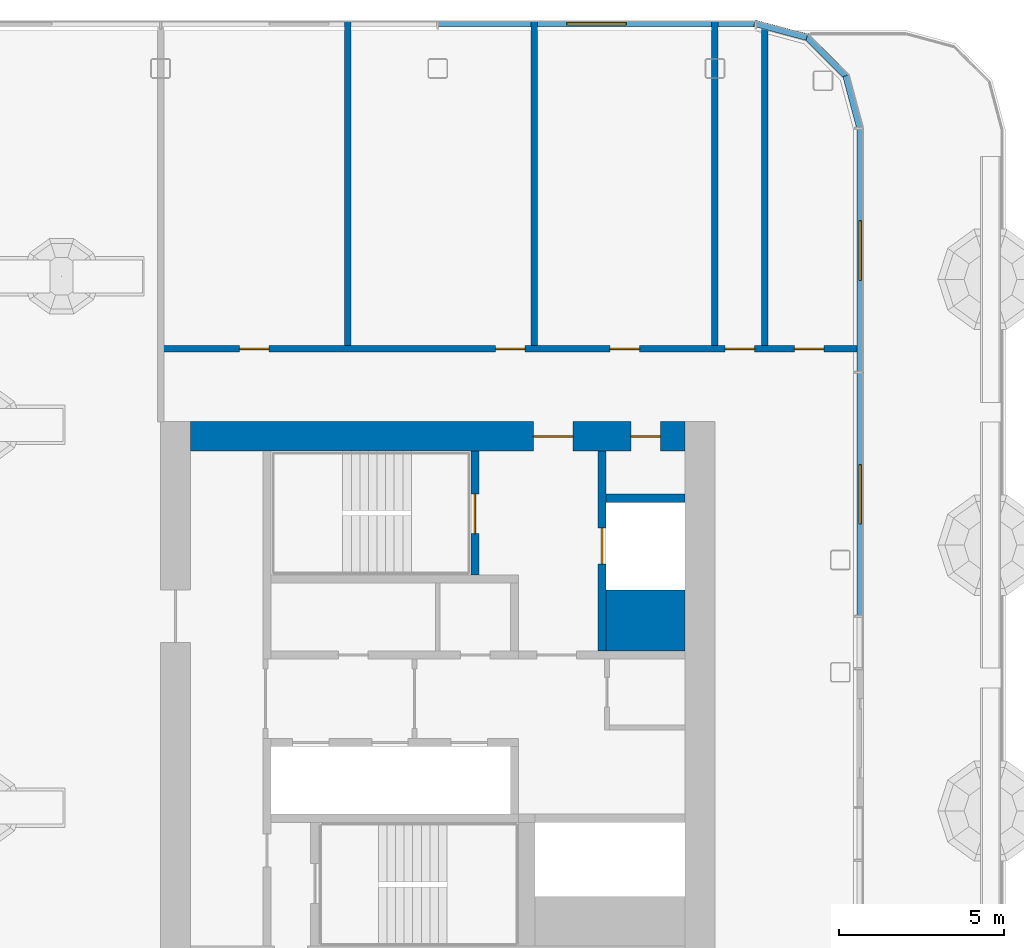
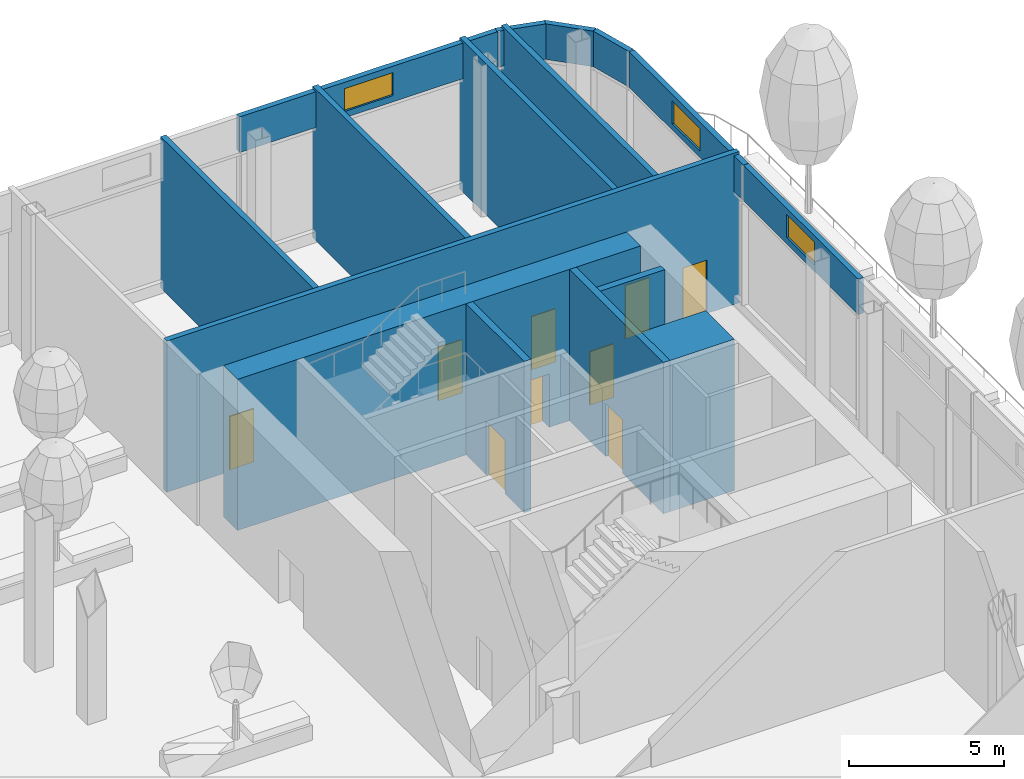
# One storey, part 14 of 41: 16 walls, 9 doors, 3 windows, 12 openings, 3 elements without a shape of their own.
"""IFC4 building model written with IfcOpenShell, lengths in metres."""

from ifc_helpers import new_model, si_unit, direction, frame, frame_2d, origin, place, context, subcontext, project, spatial, rectangle, extrude, material, layer, layer_set, type_object, element, fill, aggregate, save


model = new_model("IFC4")

# Units and contexts
model_context = context("Model", 3, precision=1e-05, world=origin(), true_north=direction((0.0, 1.0)))
body_context = subcontext(model_context, "Body", "Model", "MODEL_VIEW")
ifc_project = project(units=[si_unit("LENGTHUNIT", "METRE"), si_unit("AREAUNIT", "SQUARE_METRE"), si_unit("VOLUMEUNIT", "CUBIC_METRE"), si_unit("PLANEANGLEUNIT", "RADIAN"), si_unit("MASSUNIT", "GRAM", prefix="KILO")], contexts=[model_context])

# Site, building, storey
site_placement = place(None, origin())
site = spatial("IfcSite", under=ifc_project, at=site_placement, CompositionType="ELEMENT")
building_placement = place(site_placement, origin())
building = spatial("IfcBuilding", under=site, at=building_placement, Name="Hakoniwa Tower and Hamabe Station Hall", CompositionType="ELEMENT")
storey_placement = place(building_placement, frame((0.0, 0.0, 180.199951171875)))
storey = spatial("IfcBuildingStorey", under=building, at=storey_placement, Name="L51", CompositionType="ELEMENT", Elevation=180.199951171875)

# Wall, openings, doors
ifc_material_1 = material(Name="Concrete C60", Category="concrete")
ifc_layer_1 = layer(ifc_material_1, 0.89990234375)
ifc_layer_set_1 = layer_set([ifc_layer_1], Name="CORE WALL 900 C60")
wall_type_1 = type_object("IfcWallType", Name="CORE WALL 900 C60", PredefinedType="SHEAR", material=ifc_layer_set_1)
wall_1_placement = place(storey_placement, frame((17.699951171875, 7.949951171875, 0.0), z_axis=(0.0, 0.0, 1.0), x_axis=(1.0, 0.0, 0.0)))
wall_1 = element("IfcWall", 1, at=wall_1_placement, inside=storey, type_object=wall_type_1, Name="Core wall NORTH east", PredefinedType="SHEAR", context=body_context, shape_type="SweptSolid", body=[
    extrude(rectangle(XDim=15.0, YDim=0.89990234375, at=frame_2d((7.5, 0.0))), origin(), (0.0, 0.0, 1.0), 5.949951171875),
])
opening_1_placement = place(wall_1_placement, frame((10.39990234375, 0.0, 0.0)))
opening_1 = element("IfcOpeningElement", 2, at=opening_1_placement, cuts=wall_1, Name="Opening CD-E-FN1-12", PredefinedType="OPENING", context=body_context, shape_type="SweptSolid", body=[
    extrude(rectangle(XDim=1.199951171875, YDim=2.10009765625, at=frame_2d((0.60009765625, 1.050048828125))), frame((0.0, 0.4599609375, 0.0), z_axis=(0.0, -1.0, 0.0), x_axis=(1.0, 0.0, 0.0)), (0.0, 0.0, 1.0), 0.919921875),
])
opening_2_placement = place(wall_1_placement, frame((13.35009765625, 0.0, 0.0)))
opening_2 = element("IfcOpeningElement", 3, at=opening_2_placement, cuts=wall_1, Name="Opening CD-E-FN2-9", PredefinedType="OPENING", context=body_context, shape_type="SweptSolid", body=[
    extrude(rectangle(XDim=0.89990234375, YDim=2.10009765625, at=frame_2d((0.449951171875, 1.050048828125))), frame((0.0, 0.4599609375, 0.0), z_axis=(0.0, -1.0, 0.0), x_axis=(1.0, 0.0, 0.0)), (0.0, 0.0, 1.0), 0.919921875),
])
ifc_material_2 = material(Name="Steel fire door", Category="steel")
door_type_1 = type_object("IfcDoorType", Name="CORE DOOR 1200 FD60", OperationType="DOUBLE_DOOR_SINGLE_SWING", PredefinedType="DOOR", material=ifc_material_2)
door_1_placement = place(opening_1_placement, origin())
door_1 = element("IfcDoor", 4, at=door_1_placement, inside=storey, type_object=door_type_1, Name="Stair vestibule door to the fire-fighting lobby", OperationType="DOUBLE_DOOR_SINGLE_SWING", OverallHeight=2.10009765625, OverallWidth=1.199951171875, PredefinedType="DOOR", context=body_context, shape_type="SweptSolid", body=[
    extrude(rectangle(XDim=1.199951171875, YDim=2.10009765625, at=frame_2d((0.60009765625, 1.050048828125))), frame((0.0, 0.02490234375, 0.0), z_axis=(0.0, -1.0, 0.0), x_axis=(1.0, 0.0, 0.0)), (0.0, 0.0, 1.0), 0.050048828125),
])
fill(opening_1, door_1)
ifc_material_3 = material(Name="Steel fire door", Category="steel")
door_type_2 = type_object("IfcDoorType", Name="CORE DOOR 900 FD30", OperationType="NOTDEFINED", PredefinedType="DOOR", material=ifc_material_3)
door_2_placement = place(opening_2_placement, origin())
door_2 = element("IfcDoor", 5, at=door_2_placement, inside=storey, type_object=door_type_2, Name="Riser access door", OperationType="SINGLE_SWING_RIGHT", OverallHeight=2.10009765625, OverallWidth=0.89990234375, PredefinedType="DOOR", context=body_context, shape_type="SweptSolid", body=[
    extrude(rectangle(XDim=0.89990234375, YDim=2.10009765625, at=frame_2d((0.449951171875, 1.050048828125))), frame((0.0, 0.02490234375, 0.0), z_axis=(0.0, -1.0, 0.0), x_axis=(1.0, 0.0, 0.0)), (0.0, 0.0, 1.0), 0.050048828125),
])
fill(opening_2, door_2)

# Wall
ifc_material_4 = material(Name="Concrete C60", Category="concrete")
ifc_layer_2 = layer(ifc_material_4, 1.85009765625)
ifc_layer_set_2 = layer_set([ifc_layer_2], Name="CORE WEB WALL 1850 C60")
wall_type_2 = type_object("IfcWallType", Name="CORE WEB WALL 1850 C60", PredefinedType="SHEAR", material=ifc_layer_set_2)
wall_2_placement = place(storey_placement, frame((30.300048828125, 2.375, 0.0), z_axis=(0.0, 0.0, 1.0), x_axis=(1.0, 0.0, 0.0)))
element("IfcWall", 6, at=wall_2_placement, inside=storey, type_object=wall_type_2, Name="Core wall CA east", PredefinedType="SHEAR", context=body_context, shape_type="SweptSolid", body=[
    extrude(rectangle(XDim=2.39990234375, YDim=1.85009765625, at=frame_2d((1.199951171875, 0.0))), origin(), (0.0, 0.0, 1.0), 5.949951171875),
])

# Wall, opening, door
ifc_material_5 = material(Name="Concrete C60", Category="concrete")
ifc_layer_3 = layer(ifc_material_5, 0.25)
ifc_layer_set_3 = layer_set([ifc_layer_3], Name="CORE WEB WALL 250 C60")
wall_type_3 = type_object("IfcWallType", Name="CORE WEB WALL 250 C60", PredefinedType="SHEAR", material=ifc_layer_set_3)
wall_3_placement = place(storey_placement, frame((26.324951171875, 3.75, 0.0), z_axis=(0.0, 0.0, 1.0), x_axis=(0.0, 1.0, 0.0)))
wall_3 = element("IfcWall", 7, at=wall_3_placement, inside=storey, type_object=wall_type_3, Name="Core wall NSE east", PredefinedType="SHEAR", context=body_context, shape_type="SweptSolid", body=[
    extrude(rectangle(XDim=3.75, YDim=0.25, at=frame_2d((1.875, 0.0))), origin(), (0.0, 0.0, 1.0), 5.949951171875),
])
opening_3_placement = place(wall_3_placement, frame((1.25, 0.0, 0.0)))
opening_3 = element("IfcOpeningElement", 8, at=opening_3_placement, cuts=wall_3, Name="Opening CD-E-SN-12", PredefinedType="OPENING", context=body_context, shape_type="SweptSolid", body=[
    extrude(rectangle(XDim=1.199951171875, YDim=2.10009765625, at=frame_2d((0.60009765625, 1.050048828125))), frame((0.0, 0.135009765625, 0.0), z_axis=(0.0, -1.0, 0.0), x_axis=(1.0, 0.0, 0.0)), (0.0, 0.0, 1.0), 0.27001953125),
])
door_3_placement = place(opening_3_placement, origin())
door_3 = element("IfcDoor", 9, at=door_3_placement, inside=storey, type_object=door_type_1, Name="Escape stair door", OperationType="DOUBLE_DOOR_SINGLE_SWING", OverallHeight=2.10009765625, OverallWidth=1.199951171875, PredefinedType="DOOR", context=body_context, shape_type="SweptSolid", body=[
    extrude(rectangle(XDim=1.199951171875, YDim=2.10009765625, at=frame_2d((0.60009765625, 1.050048828125))), frame((0.0, 0.02490234375, 0.0), z_axis=(0.0, -1.0, 0.0), x_axis=(1.0, 0.0, 0.0)), (0.0, 0.0, 1.0), 0.050048828125),
])
fill(opening_3, door_3)

wall_4_placement = place(storey_placement, frame((30.175048828125, 1.449951171875, 0.0), z_axis=(0.0, 0.0, 1.0), x_axis=(0.0, 1.0, 0.0)))
wall_4 = element("IfcWall", 10, at=wall_4_placement, inside=storey, type_object=wall_type_3, Name="Core wall FFF east", PredefinedType="SHEAR", context=body_context, shape_type="SweptSolid", body=[
    extrude(rectangle(XDim=6.050048828125, YDim=0.25, at=frame_2d((3.02490234375, 0.0))), origin(), (0.0, 0.0, 1.0), 5.949951171875),
])
opening_4_placement = place(wall_4_placement, frame((2.625, 0.0, 0.0)))
opening_4 = element("IfcOpeningElement", 11, at=opening_4_placement, cuts=wall_4, Name="Opening LD-FF2", PredefinedType="OPENING", context=body_context, shape_type="SweptSolid", body=[
    extrude(rectangle(XDim=1.10009765625, YDim=2.10009765625, at=frame_2d((0.550048828125, 1.050048828125))), frame((0.0, 0.135009765625, 0.0), z_axis=(0.0, -1.0, 0.0), x_axis=(1.0, 0.0, 0.0)), (0.0, 0.0, 1.0), 0.27001953125),
])
ifc_material_6 = material(Name="Stainless steel SUS304", Category="steel")
door_type_3 = type_object("IfcDoorType", Name="LIFT LANDING DOOR 1100 FD60", OperationType="DOUBLE_DOOR_SLIDING", PredefinedType="DOOR", material=ifc_material_6)
door_4_placement = place(opening_4_placement, origin())
door_4 = element("IfcDoor", 12, at=door_4_placement, inside=storey, type_object=door_type_3, Name="Lift landing door FF2 L51", OperationType="DOUBLE_DOOR_SLIDING", OverallHeight=2.10009765625, OverallWidth=1.10009765625, PredefinedType="DOOR", context=body_context, shape_type="SweptSolid", body=[
    extrude(rectangle(XDim=1.10009765625, YDim=2.10009765625, at=frame_2d((0.550048828125, 1.050048828125))), frame((0.0, 0.02490234375, 0.0), z_axis=(0.0, -1.0, 0.0), x_axis=(1.0, 0.0, 0.0)), (0.0, 0.0, 1.0), 0.050048828125),
])
fill(opening_4, door_4)

# Wall
wall_5_placement = place(storey_placement, frame((30.300048828125, 6.074951171875, 0.0), z_axis=(0.0, 0.0, 1.0), x_axis=(1.0, 0.0, 0.0)))
element("IfcWall", 13, at=wall_5_placement, inside=storey, type_object=wall_type_3, Name="Core wall C2 east", PredefinedType="SHEAR", context=body_context, shape_type="SweptSolid", body=[
    extrude(rectangle(XDim=2.39990234375, YDim=0.25, at=frame_2d((1.199951171875, 0.0))), origin(), (0.0, 0.0, 1.0), 5.949951171875),
])

# Wall, openings, doors
ifc_material_7 = material(Name="Fire-rated gypsum board partition", Category="gypsum")
ifc_layer_4 = layer(ifc_material_7, 0.199951171875)
ifc_layer_set_4 = layer_set([ifc_layer_4], Name="Corridor Wall 200")
wall_type_4 = type_object("IfcWallType", Name="Corridor Wall 200", PredefinedType="PARTITIONING", material=ifc_layer_set_4)
wall_6_placement = place(storey_placement, frame((16.800048828125, 10.60009765625, 0.0), z_axis=(0.0, 0.0, 1.0), x_axis=(1.0, 0.0, 0.0)))
wall_6 = element("IfcWall", 14, at=wall_6_placement, inside=storey, type_object=wall_type_4, Name="GW-L51-005", PredefinedType="PARTITIONING", context=body_context, shape_type="SweptSolid", body=[
    extrude(rectangle(XDim=21.300048828125, YDim=0.199951171875, at=frame_2d((10.64990234375, 0.0))), origin(), (0.0, 0.0, 1.0), 5.949951171875),
])
opening_5_placement = place(wall_6_placement, frame((2.385009765625, 0.0, 0.0)))
opening_5 = element("IfcOpeningElement", 15, at=opening_5_placement, cuts=wall_6, Name="Opening GD-SL51-08", PredefinedType="OPENING", context=body_context, shape_type="SweptSolid", body=[
    extrude(rectangle(XDim=0.89990234375, YDim=2.10009765625, at=frame_2d((0.449951171875, 1.050048828125))), frame((0.0, 0.10986328125, 0.0), z_axis=(0.0, -1.0, 0.0), x_axis=(1.0, 0.0, 0.0)), (0.0, 0.0, 1.0), 0.219970703125),
])
opening_6_placement = place(wall_6_placement, frame((10.14990234375, 0.0, 0.0)))
opening_6 = element("IfcOpeningElement", 16, at=opening_6_placement, cuts=wall_6, Name="Opening GD-SL51-09", PredefinedType="OPENING", context=body_context, shape_type="SweptSolid", body=[
    extrude(rectangle(XDim=0.89990234375, YDim=2.10009765625, at=frame_2d((0.449951171875, 1.050048828125))), frame((0.0, 0.10986328125, 0.0), z_axis=(0.0, -1.0, 0.0), x_axis=(1.0, 0.0, 0.0)), (0.0, 0.0, 1.0), 0.219970703125),
])
opening_7_placement = place(wall_6_placement, frame((13.614990234375, 0.0, 0.0)))
opening_7 = element("IfcOpeningElement", 17, at=opening_7_placement, cuts=wall_6, Name="Opening GD-SL51-10", PredefinedType="OPENING", context=body_context, shape_type="SweptSolid", body=[
    extrude(rectangle(XDim=0.89990234375, YDim=2.10009765625, at=frame_2d((0.449951171875, 1.050048828125))), frame((0.0, 0.10986328125, 0.0), z_axis=(0.0, -1.0, 0.0), x_axis=(1.0, 0.0, 0.0)), (0.0, 0.0, 1.0), 0.219970703125),
])
opening_8_placement = place(wall_6_placement, frame((17.10498046875, 0.0, 0.0)))
opening_8 = element("IfcOpeningElement", 18, at=opening_8_placement, cuts=wall_6, Name="Opening GD-SL51-11", PredefinedType="OPENING", context=body_context, shape_type="SweptSolid", body=[
    extrude(rectangle(XDim=0.89990234375, YDim=2.10009765625, at=frame_2d((0.449951171875, 1.050048828125))), frame((0.0, 0.10986328125, 0.0), z_axis=(0.0, -1.0, 0.0), x_axis=(1.0, 0.0, 0.0)), (0.0, 0.0, 1.0), 0.219970703125),
])
opening_9_placement = place(wall_6_placement, frame((19.205078125, 0.0, 0.0)))
opening_9 = element("IfcOpeningElement", 19, at=opening_9_placement, cuts=wall_6, Name="Opening GD-SL51-12", PredefinedType="OPENING", context=body_context, shape_type="SweptSolid", body=[
    extrude(rectangle(XDim=0.89990234375, YDim=2.10009765625, at=frame_2d((0.449951171875, 1.050048828125))), frame((0.0, 0.10986328125, 0.0), z_axis=(0.0, -1.0, 0.0), x_axis=(1.0, 0.0, 0.0)), (0.0, 0.0, 1.0), 0.219970703125),
])
ifc_material_8 = material(Name="Timber door leaf", Category="wood")
door_type_4 = type_object("IfcDoorType", Name="Service Door 900", OperationType="SINGLE_SWING_LEFT", PredefinedType="DOOR", material=ifc_material_8)
door_5_placement = place(opening_5_placement, origin())
door_5 = element("IfcDoor", 20, at=door_5_placement, inside=storey, type_object=door_type_4, Name="Door GD-SL51-08", OperationType="SINGLE_SWING_RIGHT", OverallHeight=2.10009765625, OverallWidth=0.89990234375, PredefinedType="DOOR", context=body_context, shape_type="SweptSolid", body=[
    extrude(rectangle(XDim=0.89990234375, YDim=2.10009765625, at=frame_2d((0.449951171875, 1.050048828125))), frame((0.0, 0.02490234375, 0.0), z_axis=(0.0, -1.0, 0.0), x_axis=(1.0, 0.0, 0.0)), (0.0, 0.0, 1.0), 0.050048828125),
])
fill(opening_5, door_5)
door_6_placement = place(opening_6_placement, origin())
door_6 = element("IfcDoor", 21, at=door_6_placement, inside=storey, type_object=door_type_4, Name="Door GD-SL51-09", OperationType="SINGLE_SWING_LEFT", OverallHeight=2.10009765625, OverallWidth=0.89990234375, PredefinedType="DOOR", context=body_context, shape_type="SweptSolid", body=[
    extrude(rectangle(XDim=0.89990234375, YDim=2.10009765625, at=frame_2d((0.449951171875, 1.050048828125))), frame((0.0, 0.02490234375, 0.0), z_axis=(0.0, -1.0, 0.0), x_axis=(1.0, 0.0, 0.0)), (0.0, 0.0, 1.0), 0.050048828125),
])
fill(opening_6, door_6)
door_7_placement = place(opening_7_placement, origin())
door_7 = element("IfcDoor", 22, at=door_7_placement, inside=storey, type_object=door_type_4, Name="Door GD-SL51-10", OperationType="SINGLE_SWING_LEFT", OverallHeight=2.10009765625, OverallWidth=0.89990234375, PredefinedType="DOOR", context=body_context, shape_type="SweptSolid", body=[
    extrude(rectangle(XDim=0.89990234375, YDim=2.10009765625, at=frame_2d((0.449951171875, 1.050048828125))), frame((0.0, 0.02490234375, 0.0), z_axis=(0.0, -1.0, 0.0), x_axis=(1.0, 0.0, 0.0)), (0.0, 0.0, 1.0), 0.050048828125),
])
fill(opening_7, door_7)
door_8_placement = place(opening_8_placement, origin())
door_8 = element("IfcDoor", 23, at=door_8_placement, inside=storey, type_object=door_type_4, Name="Door GD-SL51-11", OperationType="SINGLE_SWING_RIGHT", OverallHeight=2.10009765625, OverallWidth=0.89990234375, PredefinedType="DOOR", context=body_context, shape_type="SweptSolid", body=[
    extrude(rectangle(XDim=0.89990234375, YDim=2.10009765625, at=frame_2d((0.449951171875, 1.050048828125))), frame((0.0, 0.02490234375, 0.0), z_axis=(0.0, -1.0, 0.0), x_axis=(1.0, 0.0, 0.0)), (0.0, 0.0, 1.0), 0.050048828125),
])
fill(opening_8, door_8)
door_9_placement = place(opening_9_placement, origin())
door_9 = element("IfcDoor", 24, at=door_9_placement, inside=storey, type_object=door_type_4, Name="Door GD-SL51-12", OperationType="SINGLE_SWING_RIGHT", OverallHeight=2.10009765625, OverallWidth=0.89990234375, PredefinedType="DOOR", context=body_context, shape_type="SweptSolid", body=[
    extrude(rectangle(XDim=0.89990234375, YDim=2.10009765625, at=frame_2d((0.449951171875, 1.050048828125))), frame((0.0, 0.02490234375, 0.0), z_axis=(0.0, -1.0, 0.0), x_axis=(1.0, 0.0, 0.0)), (0.0, 0.0, 1.0), 0.050048828125),
])
fill(opening_9, door_9)

# Walls
ifc_material_9 = material(Name="Fire-rated gypsum board partition", Category="gypsum")
ifc_layer_5 = layer(ifc_material_9, 0.199951171875)
ifc_layer_set_5 = layer_set([ifc_layer_5], Name="Party Wall 200")
wall_type_5 = type_object("IfcWallType", Name="Party Wall 200", PredefinedType="PARTITIONING", material=ifc_layer_set_5)
for number, where, z_axis, x_axis, name in (
    (25, (22.469970703125, 10.699951171875, 0.0), (0.0, 0.0, 1.0), (0.0, 1.0, 0.0), "GW-L51-014"),
    (26, (28.1298828125, 10.699951171875, 0.0), (0.0, 0.0, 1.0), (0.0, 1.0, 0.0), "GW-L51-015"),
    (27, (33.60009765625, 10.699951171875, 0.0), (0.0, 0.0, 1.0), (0.0, 1.0, 0.0), "GW-L51-017"),
):
    element("IfcWall", number, at=place(storey_placement, frame(where, z_axis=z_axis, x_axis=x_axis)), inside=storey, type_object=wall_type_5, Name=name, PredefinedType="PARTITIONING", context=body_context, shape_type="SweptSolid", body=[
        extrude(rectangle(XDim=9.85009765625, YDim=0.199951171875, at=frame_2d((4.925048828125, 0.0))), origin(), (0.0, 0.0, 1.0), 5.949951171875),
    ])
wall_7_placement = place(storey_placement, frame((35.110107421875, 10.699951171875, 0.0), z_axis=(0.0, 0.0, 1.0), x_axis=(0.0, 1.0, 0.0)))
element("IfcWall", 28, at=wall_7_placement, inside=storey, type_object=wall_type_5, Name="GW-L51-018", PredefinedType="PARTITIONING", context=body_context, shape_type="SweptSolid", body=[
    extrude(rectangle(XDim=9.777587890625, YDim=0.199951171875, at=frame_2d((4.888671875, 0.0))), origin(), (0.0, 0.0, 1.0), 5.949951171875),
])

# Curtain wall, walls, openings, windows
ifc_material_10 = material(Name="Dark low-e laminated glass", Category="glass")
ifc_layer_6 = layer(ifc_material_10, 0.199951171875)
ifc_layer_set_6 = layer_set([ifc_layer_6], Name="CW-2 SKY GARDEN")
curtain_wall_type = type_object("IfcCurtainWallType", Name="CW-2 SKY GARDEN", PredefinedType="NOTDEFINED", material=ifc_layer_set_6)
curtain_wall_1_placement = place(storey_placement, origin())
curtain_wall_1 = element("IfcCurtainWall", 29, at=curtain_wall_1_placement, inside=storey, type_object=curtain_wall_type, Name="CW-2 curtain wall", PredefinedType="NOTDEFINED")
ifc_material_11 = material(Name="Dark glass-faced aluminium panel", Category="aluminium")
ifc_layer_7 = layer(ifc_material_11, 0.199951171875)
ifc_layer_set_7 = layer_set([ifc_layer_7], Name="VENT BAND WALL")
wall_type_6 = type_object("IfcWallType", Name="VENT BAND WALL", PredefinedType="NOTDEFINED", material=ifc_layer_set_7)
wall_8_placement = place(storey_placement, frame((38.0, 2.5, 4.449951171875), z_axis=(0.0, 0.0, 1.0), x_axis=(0.0, 1.0, 0.0)))
wall_8 = element("IfcWall", 30, at=wall_8_placement, type_object=wall_type_6, Name="Vent band wall", PredefinedType="NOTDEFINED", context=body_context, shape_type="SweptSolid", body=[
    extrude(rectangle(XDim=7.394775390625, YDim=0.199951171875, at=frame_2d((3.697265625, 0.0))), origin(), (0.0, 0.0, 1.0), 1.400146484375),
])
opening_10_placement = place(wall_8_placement, frame((2.79736328125, 0.0, 0.25)))
opening_10 = element("IfcOpeningElement", 31, at=opening_10_placement, cuts=wall_8, Name="Opening VW-1", PredefinedType="OPENING", context=body_context, shape_type="SweptSolid", body=[
    extrude(rectangle(XDim=1.800048828125, YDim=0.89990234375, at=frame_2d((0.89990234375, 0.449951171875))), frame((0.0, 0.10986328125, 0.0), z_axis=(0.0, -1.0, 0.0), x_axis=(1.0, 0.0, 0.0)), (0.0, 0.0, 1.0), 0.219970703125),
])
ifc_material_12 = material(Name="Dark low-e laminated glass", Category="glass")
window_type = type_object("IfcWindowType", Name="VENT WINDOW 1800X900", PartitioningType="SINGLE_PANEL", PredefinedType="WINDOW", material=ifc_material_12)
window_1_placement = place(opening_10_placement, origin())
window_1 = element("IfcWindow", 32, at=window_1_placement, inside=storey, type_object=window_type, Name="Vent window", OverallHeight=0.89990234375, OverallWidth=1.800048828125, PartitioningType="SINGLE_PANEL", PredefinedType="WINDOW", context=body_context, shape_type="SweptSolid", body=[
    extrude(rectangle(XDim=1.800048828125, YDim=0.89990234375, at=frame_2d((0.89990234375, 0.449951171875))), frame((0.0, 0.030029296875, 0.0), z_axis=(0.0, -1.0, 0.0), x_axis=(1.0, 0.0, 0.0)), (0.0, 0.0, 1.0), 0.06005859375),
])
fill(opening_10, window_1)
wall_9_placement = place(storey_placement, frame((38.0, 9.894775390625, 4.449951171875), z_axis=(0.0, 0.0, 1.0), x_axis=(0.0, 1.0, 0.0)))
wall_9 = element("IfcWall", 33, at=wall_9_placement, type_object=wall_type_6, Name="Vent band wall", PredefinedType="NOTDEFINED", context=body_context, shape_type="SweptSolid", body=[
    extrude(rectangle(XDim=7.36474609375, YDim=0.199951171875, at=frame_2d((3.682373046875, 0.0))), origin(), (0.0, 0.0, 1.0), 1.400146484375),
])
opening_11_placement = place(wall_9_placement, frame((2.782470703125, 0.0, 0.25)))
opening_11 = element("IfcOpeningElement", 34, at=opening_11_placement, cuts=wall_9, Name="Opening VW-1", PredefinedType="OPENING", context=body_context, shape_type="SweptSolid", body=[
    extrude(rectangle(XDim=1.800048828125, YDim=0.89990234375, at=frame_2d((0.89990234375, 0.449951171875))), frame((0.0, 0.10986328125, 0.0), z_axis=(0.0, -1.0, 0.0), x_axis=(1.0, 0.0, 0.0)), (0.0, 0.0, 1.0), 0.219970703125),
])
window_2_placement = place(opening_11_placement, origin())
window_2 = element("IfcWindow", 35, at=window_2_placement, inside=storey, type_object=window_type, Name="Vent window", OverallHeight=0.89990234375, OverallWidth=1.800048828125, PartitioningType="SINGLE_PANEL", PredefinedType="WINDOW", context=body_context, shape_type="SweptSolid", body=[
    extrude(rectangle(XDim=1.800048828125, YDim=0.89990234375, at=frame_2d((0.89990234375, 0.449951171875))), frame((0.0, 0.030029296875, 0.0), z_axis=(0.0, -1.0, 0.0), x_axis=(1.0, 0.0, 0.0)), (0.0, 0.0, 1.0), 0.06005859375),
])
fill(opening_11, window_2)
aggregate(curtain_wall_1, [wall_8, wall_9])

# Curtain wall, walls
curtain_wall_2_placement = place(storey_placement, origin())
curtain_wall_2 = element("IfcCurtainWall", 36, at=curtain_wall_2_placement, inside=storey, type_object=curtain_wall_type, Name="CW-2 curtain wall", PredefinedType="NOTDEFINED")
wall_10_placement = place(storey_placement, frame((37.99560546875, 17.29248046875, 4.449951171875), z_axis=(0.0, 0.0, 1.0), x_axis=(-0.258726180971, 0.965950704374, 0.0)))
wall_10 = element("IfcWall", 37, at=wall_10_placement, type_object=wall_type_6, Name="Vent band wall", PredefinedType="NOTDEFINED", context=body_context, shape_type="SweptSolid", body=[
    extrude(rectangle(XDim=1.642822265625, YDim=0.199951171875, at=frame_2d((0.8212890625, 0.0))), origin(), (0.0, 0.0, 1.0), 1.400146484375),
])
wall_11_placement = place(storey_placement, frame((37.570556640625, 18.87939453125, 4.449951171875), z_axis=(0.0, 0.0, 1.0), x_axis=(-0.70717800826, 0.707035546937, 0.0)))
wall_11 = element("IfcWall", 38, at=wall_11_placement, type_object=wall_type_6, Name="Vent band wall", PredefinedType="NOTDEFINED", context=body_context, shape_type="SweptSolid", body=[
    extrude(rectangle(XDim=1.713623046875, YDim=0.199951171875, at=frame_2d((0.85693359375, 0.0))), origin(), (0.0, 0.0, 1.0), 1.400146484375),
])
wall_12_placement = place(storey_placement, frame((36.384521484375, 20.04638671875, 4.449951171875), z_axis=(0.0, 0.0, 1.0), x_axis=(-0.965940754539, 0.258763325689, 0.0)))
wall_12 = element("IfcWall", 39, at=wall_12_placement, type_object=wall_type_6, Name="Vent band wall", PredefinedType="NOTDEFINED", context=body_context, shape_type="SweptSolid", body=[
    extrude(rectangle(XDim=1.642578125, YDim=0.199951171875, at=frame_2d((0.8212890625, 0.0))), origin(), (0.0, 0.0, 1.0), 1.400146484375),
])
aggregate(curtain_wall_2, [wall_10, wall_11, wall_12])

# Curtain wall, wall, opening, window
curtain_wall_3_placement = place(storey_placement, origin())
curtain_wall_3 = element("IfcCurtainWall", 40, at=curtain_wall_3_placement, inside=storey, type_object=curtain_wall_type, Name="CW-2 curtain wall", PredefinedType="NOTDEFINED")
wall_13_placement = place(storey_placement, frame((34.8095703125, 20.449951171875, 4.449951171875), z_axis=(0.0, 0.0, 1.0), x_axis=(-1.0, 0.0, 0.0)))
wall_13 = element("IfcWall", 41, at=wall_13_placement, type_object=wall_type_6, Name="Vent band wall", PredefinedType="NOTDEFINED", context=body_context, shape_type="SweptSolid", body=[
    extrude(rectangle(XDim=9.609619140625, YDim=0.199951171875, at=frame_2d((4.8046875, 0.0))), origin(), (0.0, 0.0, 1.0), 1.400146484375),
])
opening_12_placement = place(wall_13_placement, frame((3.90478515625, 0.0, 0.25)))
opening_12 = element("IfcOpeningElement", 42, at=opening_12_placement, cuts=wall_13, Name="Opening VW-1", PredefinedType="OPENING", context=body_context, shape_type="SweptSolid", body=[
    extrude(rectangle(XDim=1.800048828125, YDim=0.89990234375, at=frame_2d((0.89990234375, 0.449951171875))), frame((0.0, 0.10986328125, 0.0), z_axis=(0.0, -1.0, 0.0), x_axis=(1.0, 0.0, 0.0)), (0.0, 0.0, 1.0), 0.219970703125),
])
window_3_placement = place(opening_12_placement, origin())
window_3 = element("IfcWindow", 43, at=window_3_placement, inside=storey, type_object=window_type, Name="Vent window", OverallHeight=0.89990234375, OverallWidth=1.800048828125, PartitioningType="SINGLE_PANEL", PredefinedType="WINDOW", context=body_context, shape_type="SweptSolid", body=[
    extrude(rectangle(XDim=1.800048828125, YDim=0.89990234375, at=frame_2d((0.89990234375, 0.449951171875))), frame((0.0, 0.030029296875, 0.0), z_axis=(0.0, -1.0, 0.0), x_axis=(1.0, 0.0, 0.0)), (0.0, 0.0, 1.0), 0.06005859375),
])
fill(opening_12, window_3)
aggregate(curtain_wall_3, [wall_13])

save(model, "model.ifc")
